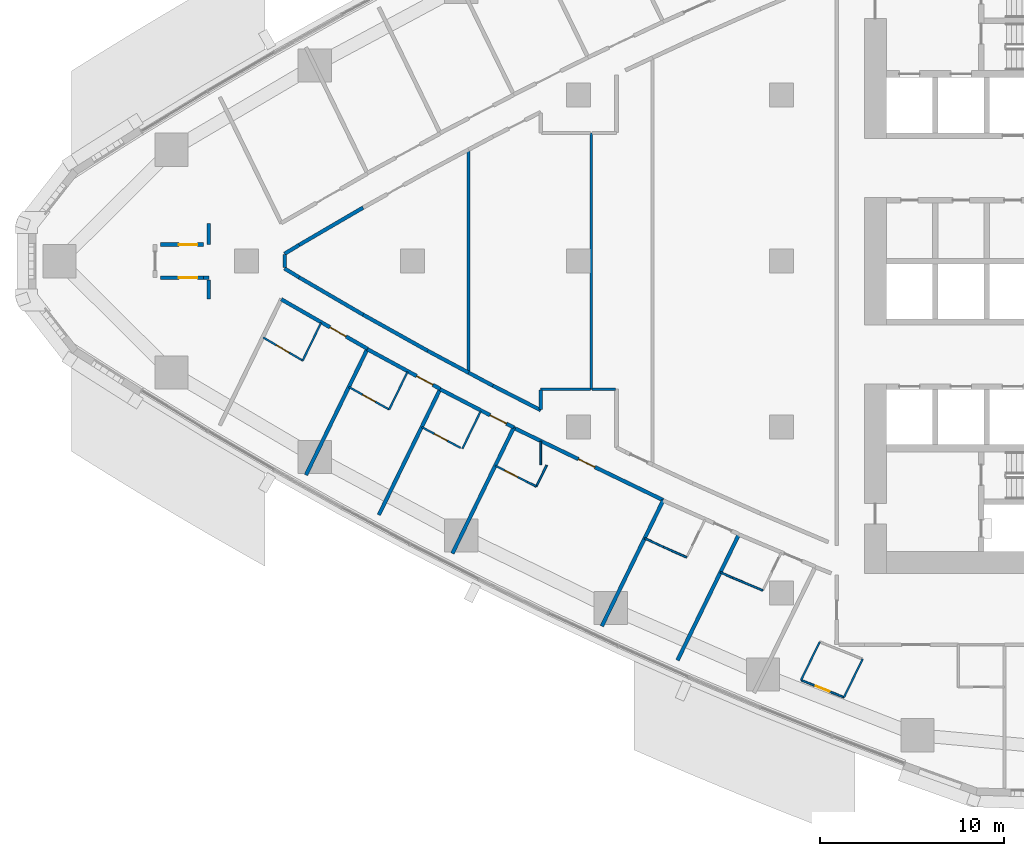
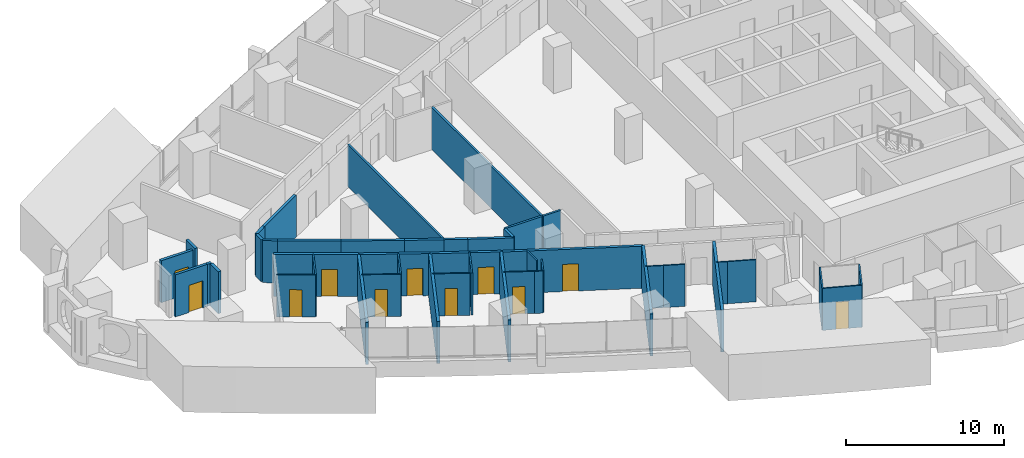
# One storey, part 9 of 19: 45 walls, 11 doors, 11 openings.
"""IFC4 building model written with IfcOpenShell, lengths in metres."""

import ifcopenshell
import ifcopenshell.guid

model = None  # the IFC model being written
_history = None  # IfcOwnerHistory: only IFC2X3 demands one
_inside = {}  # id of a spatial element -> (the spatial element, [elements in it])
_under = {}  # id of a project, library or spatial element -> (it, [spatial elements below it])
_declared = {}  # id of a project -> (the project, [libraries it declares])
_typed = {}  # id of a type object -> (the type object, [elements of that type])
_made_of = {}  # id of a material, layer set ... -> (it, [elements and type objects made of it])


def new_model(schema):
    """Start an empty IFC model of exactly this schema.

    Asked for "IFC4X3", IfcOpenShell would pick the latest addendum, in which some entities
    have other attributes; the version numbers below select the first issue.
    IFC2X3 requires an IfcOwnerHistory on every rooted entity: one is made here for all.
    """
    global model, _history
    if schema == "IFC4X3":
        model = ifcopenshell.file(schema_version=(4, 3, 0, 0))
    else:
        model = ifcopenshell.file(schema=schema)
    _inside.clear()
    _under.clear()
    _declared.clear()
    _typed.clear()
    _made_of.clear()
    _history = None
    if model.schema == "IFC2X3":
        org = make("IfcOrganization", Name="unknown")
        user = make(
            "IfcPersonAndOrganization",
            ThePerson=make("IfcPerson", FamilyName="unknown"),
            TheOrganization=org,
        )
        app = make(
            "IfcApplication",
            ApplicationDeveloper=org,
            Version="unknown",
            ApplicationFullName="unknown",
            ApplicationIdentifier="unknown",
        )
        _history = make(
            "IfcOwnerHistory",
            OwningUser=user,
            OwningApplication=app,
            ChangeAction="ADDED",
            CreationDate=0,
        )
    return model


def make(cls, **values):
    """One entity of the class cls with the attributes given. An attribute that is None is left unset."""
    return model.create_entity(
        cls, **{name: value for name, value in values.items() if value is not None}
    )


def rooted(cls, **values):
    """An entity with a GlobalId (a new one), such as an element, a storey or a relation."""
    return make(cls, GlobalId=ifcopenshell.guid.new(), OwnerHistory=_history, **values)


def si_unit(unit_type, name, prefix=None):
    """IfcSIUnit, for example si_unit("LENGTHUNIT", "METRE", prefix="MILLI")."""
    return make("IfcSIUnit", UnitType=unit_type, Prefix=prefix, Name=name)


def assignment(units):
    """IfcUnitAssignment: the units of a project."""
    return None if units is None else make("IfcUnitAssignment", Units=units)


def point(xyz):
    """IfcCartesianPoint."""
    return None if xyz is None else make("IfcCartesianPoint", Coordinates=xyz)


def direction(xyz):
    """IfcDirection."""
    return None if xyz is None else make("IfcDirection", DirectionRatios=xyz)


def frame(location, z_axis=None, x_axis=None):
    """IfcAxis2Placement3D, a coordinate frame: its origin and axes. An axis left out is left unset."""
    return make(
        "IfcAxis2Placement3D",
        Location=point(location),
        Axis=direction(z_axis),
        RefDirection=direction(x_axis),
    )


def frame_2d(location, x_axis=None):
    """IfcAxis2Placement2D, a coordinate frame in the plane: its origin and x axis."""
    return make(
        "IfcAxis2Placement2D", Location=point(location), RefDirection=direction(x_axis)
    )


def origin():
    """The frame at (0, 0, 0) with its axes left unset."""
    return frame((0.0, 0.0, 0.0))


def place(relative_to, where):
    """IfcLocalPlacement: puts the frame where relative to a parent placement (None: the world)."""
    return make(
        "IfcLocalPlacement", PlacementRelTo=relative_to, RelativePlacement=where
    )


def context(
    kind, dimensions, precision=None, world=None, true_north=None, identifier=None
):
    """IfcGeometricRepresentationContext, for example the 3D "Model" context."""
    return make(
        "IfcGeometricRepresentationContext",
        ContextIdentifier=identifier,
        ContextType=kind,
        CoordinateSpaceDimension=dimensions,
        Precision=precision,
        WorldCoordinateSystem=world,
        TrueNorth=true_north,
    )


def subcontext(parent, identifier, kind, view, scale=None):
    """IfcGeometricRepresentationSubContext, for example "Body" below "Model"."""
    return make(
        "IfcGeometricRepresentationSubContext",
        ContextIdentifier=identifier,
        ContextType=kind,
        ParentContext=parent,
        TargetScale=scale,
        TargetView=view,
    )


def project(units=None, contexts=None):
    """IfcProject with its units and contexts."""
    return rooted(
        "IfcProject",
        Name="project",
        RepresentationContexts=contexts,
        UnitsInContext=assignment(units),
    )


def spatial(cls, under=None, at=None, **own):
    """A site, building, storey or space (cls), placed at a placement, below another one or the project."""
    s = rooted(cls, ObjectPlacement=at, **own)
    if under is not None:
        _under.setdefault(under.id(), (under, []))[1].append(s)
    return s


def profile(cls, at=None, kind="AREA", **sizes):
    """A parametric profile (cls). Its sizes go by their IFC names, for example OverallWidth=200.0."""
    return make(cls, ProfileType=kind, Position=at, **sizes)


def rectangle(**sizes):
    """IfcRectangleProfileDef."""
    return profile("IfcRectangleProfileDef", **sizes)


def extrude(swept, where, along, depth):
    """IfcExtrudedAreaSolid: the profile swept, set in the frame where, extruded along a direction by depth."""
    return make(
        "IfcExtrudedAreaSolid",
        SweptArea=swept,
        Position=where,
        ExtrudedDirection=direction(along),
        Depth=depth,
    )


def shape(context_of_items, identifier, shape_type, items):
    """IfcShapeRepresentation: the items that make up one representation, for example the "Body"."""
    return make(
        "IfcShapeRepresentation",
        ContextOfItems=context_of_items,
        RepresentationIdentifier=identifier,
        RepresentationType=shape_type,
        Items=items,
    )


def material(Name=None, Category=None):
    """IfcMaterial."""
    return make("IfcMaterial", Name=Name, Category=Category)


def layer(
    of_material, thickness, ventilated=None, Name=None, Category=None, Priority=None
):
    """IfcMaterialLayer: one layer of a wall or slab, of a material (None: an air gap)."""
    return make(
        "IfcMaterialLayer",
        Material=of_material,
        LayerThickness=thickness,
        IsVentilated=ventilated,
        Name=Name,
        Category=Category,
        Priority=Priority,
    )


def layer_set(layers, Name=None):
    """IfcMaterialLayerSet."""
    return make("IfcMaterialLayerSet", MaterialLayers=layers, LayerSetName=Name)


def made_of(thing, what):
    """Note that an element or type object is made of a material, layer set ...; save() writes the relation."""
    if what is not None:
        _made_of.setdefault(what.id(), (what, []))[1].append(thing)
    return thing


def type_object(cls, material=None, **own):
    """A type object (cls), such as IfcWallType, which elements share."""
    return made_of(rooted(cls, **own), material)


def element(
    cls,
    number,
    at=None,
    inside=None,
    cuts=None,
    type_object=None,
    material=None,
    context=None,
    identifier="Body",
    shape_type=None,
    held_by="IfcProductDefinitionShape",
    body=None,
    shapes=None,
    **own,
):
    """One element of the class cls, such as IfcWall. Its Tag is "e" and its number.

    at: its placement. inside: the storey or other place that contains it. cuts: it is an
    opening in that element (IfcRelVoidsElement). A single representation is given by context,
    identifier, shape_type and body (its items); several are given by shapes. held_by: the class
    of the entity that holds the representations. save() writes the other relations.
    """
    e = rooted(cls, Tag="e%d" % number, ObjectPlacement=at, **own)
    if body is not None:
        shapes = [shape(context, identifier, shape_type, body)]
    if shapes is not None:
        e.Representation = make(held_by, Representations=shapes)
    if inside is not None:
        _inside.setdefault(inside.id(), (inside, []))[1].append(e)
    if cuts is not None:
        rooted(
            "IfcRelVoidsElement", RelatingBuildingElement=cuts, RelatedOpeningElement=e
        )
    if type_object is not None:
        _typed.setdefault(type_object.id(), (type_object, []))[1].append(e)
    return made_of(e, material)


def fill(opening, filler):
    """IfcRelFillsElement: the door or window that sits in an opening."""
    return rooted(
        "IfcRelFillsElement",
        RelatingOpeningElement=opening,
        RelatedBuildingElement=filler,
    )


def aggregate(whole, parts):
    """IfcRelAggregates: a whole, such as a stair, and the parts it consists of."""
    return rooted("IfcRelAggregates", RelatingObject=whole, RelatedObjects=parts)


def save(model, path):
    """Write the relations noted so far, then the file.

    IfcRelAggregates (storeys below a building ...), IfcRelContainedInSpatialStructure (elements
    in a storey), IfcRelDefinesByType, IfcRelAssociatesMaterial and IfcRelDeclares: one each for
    every whole, place, type object, material and project.
    """
    for whole, parts in _under.values():
        aggregate(whole, parts)
    for where, things in _inside.values():
        rooted(
            "IfcRelContainedInSpatialStructure",
            RelatedElements=things,
            RelatingStructure=where,
        )
    for kind, things in _typed.values():
        rooted("IfcRelDefinesByType", RelatedObjects=things, RelatingType=kind)
    for what, things in _made_of.values():
        rooted("IfcRelAssociatesMaterial", RelatedObjects=things, RelatingMaterial=what)
    for by, libraries in _declared.values():
        rooted("IfcRelDeclares", RelatingContext=by, RelatedDefinitions=libraries)
    model.write(path)


model = new_model("IFC4")

# Units and contexts
model_context = context("Model", 3, precision=1e-05, world=origin(), true_north=direction((0.0, 1.0)))
body_context = subcontext(model_context, "Body", "Model", "MODEL_VIEW")
ifc_project = project(units=[si_unit("LENGTHUNIT", "METRE"), si_unit("AREAUNIT", "SQUARE_METRE"), si_unit("VOLUMEUNIT", "CUBIC_METRE"), si_unit("PLANEANGLEUNIT", "RADIAN"), si_unit("MASSUNIT", "GRAM", prefix="KILO")], contexts=[model_context])

# Site, building, storey
site_placement = place(None, origin())
site = spatial("IfcSite", under=ifc_project, at=site_placement, CompositionType="ELEMENT")
building_placement = place(site_placement, origin())
building = spatial("IfcBuilding", under=site, at=building_placement, Name="Ostrand Prow Hotel Tower", CompositionType="ELEMENT")
storey_placement = place(building_placement, frame((0.0, 0.0, 46.699951171875)))
storey = spatial("IfcBuildingStorey", under=building, at=storey_placement, Name="L09", CompositionType="ELEMENT", Elevation=46.699951171875)

# Wall
ifc_material_1 = material(Name="Plasterboard partition")
ifc_layer_1 = layer(ifc_material_1, 0.10009765625)
ifc_layer_set_1 = layer_set([ifc_layer_1], Name="Plasterboard partition")
wall_type_1 = type_object("IfcWallType", Name="Partition 100 bathroom wall", PredefinedType="PARTITIONING", material=ifc_layer_set_1)
wall_1_placement = place(storey_placement, frame((20.035400390625, -3.338134765625, 0.0), z_axis=(0.0, 0.0, 1.0), x_axis=(-0.438122322582, -0.898915363344, 0.0)))
element("IfcWall", 1, at=wall_1_placement, inside=storey, type_object=wall_type_1, Name="BATHROOM WALL", PredefinedType="PARTITIONING", context=body_context, shape_type="SweptSolid", body=[
    extrude(rectangle(XDim=2.282958984375, YDim=0.10009765625, at=frame_2d((1.1416015625, 0.0))), origin(), (0.0, 0.0, 1.0), 3.25),
])

# Wall, opening, door
wall_2_placement = place(storey_placement, frame((19.034912109375, -5.390380859375, 0.0), z_axis=(0.0, 0.0, 1.0), x_axis=(-0.863707305865, 0.503993739837, 0.0)))
wall_2 = element("IfcWall", 2, at=wall_2_placement, inside=storey, type_object=wall_type_1, Name="BATHROOM WALL", PredefinedType="PARTITIONING", context=body_context, shape_type="SweptSolid", body=[
    extrude(rectangle(XDim=2.473876953125, YDim=0.10009765625, at=frame_2d((1.23681640625, 0.0))), origin(), (0.0, 0.0, 1.0), 3.25),
])
opening_1_placement = place(wall_2_placement, frame((0.85009765625, 0.0, 0.0)))
opening_1 = element("IfcOpeningElement", 3, at=opening_1_placement, cuts=wall_2, Name="Opening D2", PredefinedType="OPENING", context=body_context, shape_type="SweptSolid", body=[
    extrude(rectangle(XDim=0.800048828125, YDim=2.10009765625, at=frame_2d((0.39990234375, 1.050048828125))), frame((0.0, 0.06005859375, 0.0), z_axis=(0.0, -1.0, 0.0), x_axis=(1.0, 0.0, 0.0)), (0.0, 0.0, 1.0), 0.1201171875),
])
ifc_material_2 = material(Name="Timber door leaf", Category="wood")
door_type_1 = type_object("IfcDoorType", Name="Bathroom door 800", OperationType="SINGLE_SWING_LEFT", PredefinedType="DOOR", material=ifc_material_2)
door_1_placement = place(opening_1_placement, origin())
door_1 = element("IfcDoor", 4, at=door_1_placement, inside=storey, type_object=door_type_1, Name="DOOR", OperationType="SINGLE_SWING_LEFT", OverallHeight=2.10009765625, OverallWidth=0.800048828125, PredefinedType="DOOR", context=body_context, shape_type="SweptSolid", body=[
    extrude(rectangle(XDim=0.800048828125, YDim=2.10009765625, at=frame_2d((0.39990234375, 1.050048828125))), frame((0.0, 0.02490234375, 0.0), z_axis=(0.0, -1.0, 0.0), x_axis=(1.0, 0.0, 0.0)), (0.0, 0.0, 1.0), 0.050048828125),
])
fill(opening_1, door_1)

# Wall
wall_3_placement = place(storey_placement, frame((24.72509765625, -5.99755859375, 0.0), z_axis=(0.0, 0.0, 1.0), x_axis=(-0.438197922062, -0.898878512982, 0.0)))
element("IfcWall", 5, at=wall_3_placement, inside=storey, type_object=wall_type_1, Name="BATHROOM WALL", PredefinedType="PARTITIONING", context=body_context, shape_type="SweptSolid", body=[
    extrude(rectangle(XDim=2.280517578125, YDim=0.10009765625, at=frame_2d((1.14013671875, 0.0))), origin(), (0.0, 0.0, 1.0), 3.25),
])

# Wall, opening, door
wall_4_placement = place(storey_placement, frame((23.7255859375, -8.04736328125, 0.0), z_axis=(0.0, 0.0, 1.0), x_axis=(-0.872778565067, 0.488116355349, 0.0)))
wall_4 = element("IfcWall", 6, at=wall_4_placement, inside=storey, type_object=wall_type_1, Name="BATHROOM WALL", PredefinedType="PARTITIONING", context=body_context, shape_type="SweptSolid", body=[
    extrude(rectangle(XDim=2.50390625, YDim=0.10009765625, at=frame_2d((1.251953125, 0.0))), origin(), (0.0, 0.0, 1.0), 3.25),
])
opening_2_placement = place(wall_4_placement, frame((0.85009765625, 0.0, 0.0)))
opening_2 = element("IfcOpeningElement", 7, at=opening_2_placement, cuts=wall_4, Name="Opening D2", PredefinedType="OPENING", context=body_context, shape_type="SweptSolid", body=[
    extrude(rectangle(XDim=0.800048828125, YDim=2.10009765625, at=frame_2d((0.39990234375, 1.050048828125))), frame((0.0, 0.06005859375, 0.0), z_axis=(0.0, -1.0, 0.0), x_axis=(1.0, 0.0, 0.0)), (0.0, 0.0, 1.0), 0.1201171875),
])
door_2_placement = place(opening_2_placement, origin())
door_2 = element("IfcDoor", 8, at=door_2_placement, inside=storey, type_object=door_type_1, Name="DOOR", OperationType="SINGLE_SWING_LEFT", OverallHeight=2.10009765625, OverallWidth=0.800048828125, PredefinedType="DOOR", context=body_context, shape_type="SweptSolid", body=[
    extrude(rectangle(XDim=0.800048828125, YDim=2.10009765625, at=frame_2d((0.39990234375, 1.050048828125))), frame((0.0, 0.02490234375, 0.0), z_axis=(0.0, -1.0, 0.0), x_axis=(1.0, 0.0, 0.0)), (0.0, 0.0, 1.0), 0.050048828125),
])
fill(opening_2, door_2)

# Wall
wall_5_placement = place(storey_placement, frame((28.695068359375, -8.1298828125, 0.0), z_axis=(0.0, 0.0, 1.0), x_axis=(-0.438229314017, -0.898863208912, 0.0)))
element("IfcWall", 9, at=wall_5_placement, inside=storey, type_object=wall_type_1, Name="BATHROOM WALL", PredefinedType="PARTITIONING", context=body_context, shape_type="SweptSolid", body=[
    extrude(rectangle(XDim=2.27734375, YDim=0.10009765625, at=frame_2d((1.138671875, 0.0))), origin(), (0.0, 0.0, 1.0), 3.25),
])

# Wall, opening, door
wall_6_placement = place(storey_placement, frame((27.59521484375, -10.124755859375, 0.0), z_axis=(0.0, 0.0, 1.0), x_axis=(-0.881666905428, 0.471872300388, 0.0)))
wall_6 = element("IfcWall", 10, at=wall_6_placement, inside=storey, type_object=wall_type_1, Name="BATHROOM WALL", PredefinedType="PARTITIONING", context=body_context, shape_type="SweptSolid", body=[
    extrude(rectangle(XDim=2.38720703125, YDim=0.10009765625, at=frame_2d((1.193603515625, 0.0))), origin(), (0.0, 0.0, 1.0), 3.25),
])
opening_3_placement = place(wall_6_placement, frame((0.800048828125, 0.0, 0.0)))
opening_3 = element("IfcOpeningElement", 11, at=opening_3_placement, cuts=wall_6, Name="Opening D2", PredefinedType="OPENING", context=body_context, shape_type="SweptSolid", body=[
    extrude(rectangle(XDim=0.800048828125, YDim=2.10009765625, at=frame_2d((0.39990234375, 1.050048828125))), frame((0.0, 0.06005859375, 0.0), z_axis=(0.0, -1.0, 0.0), x_axis=(1.0, 0.0, 0.0)), (0.0, 0.0, 1.0), 0.1201171875),
])
door_3_placement = place(opening_3_placement, origin())
door_3 = element("IfcDoor", 12, at=door_3_placement, inside=storey, type_object=door_type_1, Name="DOOR", OperationType="SINGLE_SWING_LEFT", OverallHeight=2.10009765625, OverallWidth=0.800048828125, PredefinedType="DOOR", context=body_context, shape_type="SweptSolid", body=[
    extrude(rectangle(XDim=0.800048828125, YDim=2.10009765625, at=frame_2d((0.39990234375, 1.050048828125))), frame((0.0, 0.02490234375, 0.0), z_axis=(0.0, -1.0, 0.0), x_axis=(1.0, 0.0, 0.0)), (0.0, 0.0, 1.0), 0.050048828125),
])
fill(opening_3, door_3)

# Walls
wall_7_placement = place(storey_placement, frame((32.270263671875, -11.072021484375, 0.0), z_axis=(0.0, 0.0, 1.0), x_axis=(-0.438167492606, -0.898893346523, 0.0)))
element("IfcWall", 13, at=wall_7_placement, inside=storey, type_object=wall_type_1, Name="BATHROOM WALL", PredefinedType="PARTITIONING", context=body_context, shape_type="SweptSolid", body=[
    extrude(rectangle(XDim=1.277099609375, YDim=0.10009765625, at=frame_2d((0.638671875, 0.0))), origin(), (0.0, 0.0, 1.0), 3.25),
])
wall_8_placement = place(storey_placement, frame((31.71044921875, -12.22021484375, 0.0), z_axis=(0.0, 0.0, 1.0), x_axis=(-0.898155091862, 0.43967878157, 0.0)))
element("IfcWall", 14, at=wall_8_placement, inside=storey, type_object=wall_type_1, Name="BATHROOM WALL", PredefinedType="PARTITIONING", context=body_context, shape_type="SweptSolid", body=[
    extrude(rectangle(XDim=0.532470703125, YDim=0.10009765625, at=frame_2d((0.26611328125, 0.0))), origin(), (0.0, 0.0, 1.0), 3.25),
])

# Wall, opening, door
wall_9_placement = place(storey_placement, frame((31.232177734375, -11.986083984375, 0.0), z_axis=(0.0, 0.0, 1.0), x_axis=(-0.890194338621, 0.455580991138, 0.0)))
wall_9 = element("IfcWall", 15, at=wall_9_placement, inside=storey, type_object=wall_type_1, Name="BATHROOM WALL", PredefinedType="PARTITIONING", context=body_context, shape_type="SweptSolid", body=[
    extrude(rectangle(XDim=1.9677734375, YDim=0.10009765625, at=frame_2d((0.98388671875, 0.0))), origin(), (0.0, 0.0, 1.0), 3.25),
])
opening_4_placement = place(wall_9_placement, frame((0.60009765625, 0.0, 0.0)))
opening_4 = element("IfcOpeningElement", 16, at=opening_4_placement, cuts=wall_9, Name="Opening D2", PredefinedType="OPENING", context=body_context, shape_type="SweptSolid", body=[
    extrude(rectangle(XDim=0.800048828125, YDim=2.10009765625, at=frame_2d((0.39990234375, 1.050048828125))), frame((0.0, 0.06005859375, 0.0), z_axis=(0.0, -1.0, 0.0), x_axis=(1.0, 0.0, 0.0)), (0.0, 0.0, 1.0), 0.1201171875),
])
door_4_placement = place(opening_4_placement, origin())
door_4 = element("IfcDoor", 17, at=door_4_placement, inside=storey, type_object=door_type_1, Name="DOOR", OperationType="SINGLE_SWING_LEFT", OverallHeight=2.10009765625, OverallWidth=0.800048828125, PredefinedType="DOOR", context=body_context, shape_type="SweptSolid", body=[
    extrude(rectangle(XDim=0.800048828125, YDim=2.10009765625, at=frame_2d((0.39990234375, 1.050048828125))), frame((0.0, 0.02490234375, 0.0), z_axis=(0.0, -1.0, 0.0), x_axis=(1.0, 0.0, 0.0)), (0.0, 0.0, 1.0), 0.050048828125),
])
fill(opening_4, door_4)

# Walls
wall_10_placement = place(storey_placement, frame((39.86279296875, -16.064697265625, 0.0), z_axis=(0.0, 0.0, 1.0), x_axis=(-0.913972512123, 0.405776104625, 0.0)))
element("IfcWall", 18, at=wall_10_placement, inside=storey, type_object=wall_type_1, Name="BATHROOM WALL", PredefinedType="PARTITIONING", context=body_context, shape_type="SweptSolid", body=[
    extrude(rectangle(XDim=1.37548828125, YDim=0.10009765625, at=frame_2d((0.687744140625, 0.0))), origin(), (0.0, 0.0, 1.0), 3.25),
])
wall_11_placement = place(storey_placement, frame((38.605712890625, -15.506591796875, 0.0), z_axis=(0.0, 0.0, 1.0), x_axis=(-0.90632717857, 0.422576673972, 0.0)))
element("IfcWall", 19, at=wall_11_placement, inside=storey, type_object=wall_type_1, Name="BATHROOM WALL", PredefinedType="PARTITIONING", context=body_context, shape_type="SweptSolid", body=[
    extrude(rectangle(XDim=1.12548828125, YDim=0.10009765625, at=frame_2d((0.562744140625, 0.0))), origin(), (0.0, 0.0, 1.0), 3.25),
])
wall_12_placement = place(storey_placement, frame((43.9951171875, -17.86328125, 0.0), z_axis=(0.0, 0.0, 1.0), x_axis=(-0.921261464985, 0.388943843161, 0.0)))
element("IfcWall", 20, at=wall_12_placement, inside=storey, type_object=wall_type_1, Name="BATHROOM WALL", PredefinedType="PARTITIONING", context=body_context, shape_type="SweptSolid", body=[
    extrude(rectangle(XDim=1.79638671875, YDim=0.10009765625, at=frame_2d((0.898193359375, 0.0))), origin(), (0.0, 0.0, 1.0), 3.25),
])
wall_13_placement = place(storey_placement, frame((42.33984375, -17.16455078125, 0.0), z_axis=(0.0, 0.0, 1.0), x_axis=(-0.913954037066, 0.405817715399, 0.0)))
element("IfcWall", 21, at=wall_13_placement, inside=storey, type_object=wall_type_1, Name="BATHROOM WALL", PredefinedType="PARTITIONING", context=body_context, shape_type="SweptSolid", body=[
    extrude(rectangle(XDim=0.706298828125, YDim=0.10009765625, at=frame_2d((0.35302734375, 0.0))), origin(), (0.0, 0.0, 1.0), 3.25),
])
wall_14_placement = place(storey_placement, frame((46.068603515625, -22.72509765625, 0.0), z_axis=(0.0, 0.0, 1.0), x_axis=(0.438171240168, 0.898891519756, 0.0)))
element("IfcWall", 22, at=wall_14_placement, inside=storey, type_object=wall_type_1, Name="BATHROOM WALL", PredefinedType="PARTITIONING", context=body_context, shape_type="SweptSolid", body=[
    extrude(rectangle(XDim=2.30615234375, YDim=0.10009765625, at=frame_2d((1.153076171875, 0.0))), origin(), (0.0, 0.0, 1.0), 3.25),
])

# Wall, opening, door
wall_15_placement = place(storey_placement, frame((48.3955078125, -23.6572265625, 0.0), z_axis=(0.0, 0.0, 1.0), x_axis=(-0.928288495333, 0.371860819975, 0.0)))
wall_15 = element("IfcWall", 23, at=wall_15_placement, inside=storey, type_object=wall_type_1, Name="BATHROOM WALL", PredefinedType="PARTITIONING", context=body_context, shape_type="SweptSolid", body=[
    extrude(rectangle(XDim=2.506591796875, YDim=0.10009765625, at=frame_2d((1.25341796875, 0.0))), origin(), (0.0, 0.0, 1.0), 3.25),
])
opening_5_placement = place(wall_15_placement, frame((0.85009765625, 0.0, 0.0)))
opening_5 = element("IfcOpeningElement", 24, at=opening_5_placement, cuts=wall_15, Name="Opening D2", PredefinedType="OPENING", context=body_context, shape_type="SweptSolid", body=[
    extrude(rectangle(XDim=0.800048828125, YDim=2.10009765625, at=frame_2d((0.39990234375, 1.050048828125))), frame((0.0, 0.06005859375, 0.0), z_axis=(0.0, -1.0, 0.0), x_axis=(1.0, 0.0, 0.0)), (0.0, 0.0, 1.0), 0.1201171875),
])
door_5_placement = place(opening_5_placement, origin())
door_5 = element("IfcDoor", 25, at=door_5_placement, inside=storey, type_object=door_type_1, Name="DOOR", OperationType="SINGLE_SWING_LEFT", OverallHeight=2.10009765625, OverallWidth=0.800048828125, PredefinedType="DOOR", context=body_context, shape_type="SweptSolid", body=[
    extrude(rectangle(XDim=0.800048828125, YDim=2.10009765625, at=frame_2d((0.39990234375, 1.050048828125))), frame((0.0, 0.02490234375, 0.0), z_axis=(0.0, -1.0, 0.0), x_axis=(1.0, 0.0, 0.0)), (0.0, 0.0, 1.0), 0.050048828125),
])
fill(opening_5, door_5)

# Walls
wall_16_placement = place(storey_placement, frame((31.945068359375, -9.77294921875, 0.0), z_axis=(0.0, 0.0, 1.0), x_axis=(0.000190949013, -0.999999981769, 0.0)))
element("IfcWall", 26, at=wall_16_placement, inside=storey, type_object=wall_type_1, Name="BATHROOM WALL", PredefinedType="PARTITIONING", context=body_context, shape_type="SweptSolid", body=[
    extrude(rectangle(XDim=1.278564453125, YDim=0.10009765625, at=frame_2d((0.63916015625, 0.0))), origin(), (0.0, 0.0, 1.0), 3.25),
])
wall_17_placement = place(storey_placement, frame((49.406005859375, -21.583984375, 0.0), z_axis=(0.0, 0.0, 1.0), x_axis=(-0.438129547165, -0.898911842118, 0.0)))
element("IfcWall", 27, at=wall_17_placement, inside=storey, type_object=wall_type_1, Name="BATHROOM WALL", PredefinedType="PARTITIONING", context=body_context, shape_type="SweptSolid", body=[
    extrude(rectangle(XDim=2.306396484375, YDim=0.10009765625, at=frame_2d((1.1533203125, 0.0))), origin(), (0.0, 0.0, 1.0), 3.25),
])
ifc_material_3 = material(Name="Plasterboard partition")
ifc_layer_2 = layer(ifc_material_3, 0.14990234375)
ifc_layer_set_2 = layer_set([ifc_layer_2], Name="Plasterboard partition")
wall_type_2 = type_object("IfcWallType", Name="Partition 150 room partition", PredefinedType="PARTITIONING", material=ifc_layer_set_2)
wall_18_placement = place(storey_placement, frame((28.033203125, -6.04931640625, 0.0), z_axis=(0.0, 0.0, 1.0), x_axis=(0.0, 1.0, 0.0)))
element("IfcWall", 28, at=wall_18_placement, inside=storey, type_object=wall_type_2, Name="ROOM PARTITION", PredefinedType="PARTITIONING", context=body_context, shape_type="SweptSolid", body=[
    extrude(rectangle(XDim=12.0986328125, YDim=0.14990234375, at=frame_2d((6.04931640625, 0.0))), origin(), (0.0, 0.0, 1.0), 3.25),
])
wall_19_placement = place(storey_placement, frame((34.68896484375, -6.949951171875, 0.0), z_axis=(0.0, 0.0, 1.0), x_axis=(0.0, 1.0, 0.0)))
element("IfcWall", 29, at=wall_19_placement, inside=storey, type_object=wall_type_2, Name="ROOM PARTITION", PredefinedType="PARTITIONING", context=body_context, shape_type="SweptSolid", body=[
    extrude(rectangle(XDim=13.89990234375, YDim=0.14990234375, at=frame_2d((6.949951171875, 0.0))), origin(), (0.0, 0.0, 1.0), 3.25),
])
wall_20_placement = place(storey_placement, frame((34.64892578125, -6.945068359375, 0.0), z_axis=(0.0, 0.0, 1.0), x_axis=(-0.999999995915, -9.0391394e-05, 0.0)))
element("IfcWall", 30, at=wall_20_placement, inside=storey, type_object=wall_type_2, Name="ROOM PARTITION", PredefinedType="PARTITIONING", context=body_context, shape_type="SweptSolid", body=[
    extrude(rectangle(XDim=2.700927734375, YDim=0.14990234375, at=frame_2d((1.3505859375, 0.0))), origin(), (0.0, 0.0, 1.0), 3.25),
])
wall_21_placement = place(storey_placement, frame((36.013916015625, -6.94677734375, 0.0), z_axis=(0.0, 0.0, 1.0), x_axis=(-0.999999115498, 0.001330038725, 0.0)))
element("IfcWall", 31, at=wall_21_placement, inside=storey, type_object=wall_type_2, Name="ROOM PARTITION", PredefinedType="PARTITIONING", context=body_context, shape_type="SweptSolid", body=[
    extrude(rectangle(XDim=1.284912109375, YDim=0.14990234375, at=frame_2d((0.642578125, 0.0))), origin(), (0.0, 0.0, 1.0), 3.25),
])

# Wall, opening, door
ifc_material_4 = material(Name="Plasterboard partition")
ifc_layer_3 = layer(ifc_material_4, 0.199951171875)
ifc_layer_set_3 = layer_set([ifc_layer_3], Name="Plasterboard partition")
wall_type_3 = type_object("IfcWallType", Name="Partition 200 corridor wall", PredefinedType="PARTITIONING", material=ifc_layer_set_3)
wall_22_placement = place(storey_placement, frame((17.87353515625, -2.068115234375, 0.0), z_axis=(0.0, 0.0, 1.0), x_axis=(0.867093061484, -0.4981461861, 0.0)))
wall_22 = element("IfcWall", 32, at=wall_22_placement, inside=storey, type_object=wall_type_3, Name="CORRIDOR WALL", PredefinedType="PARTITIONING", context=body_context, shape_type="SweptSolid", body=[
    extrude(rectangle(XDim=5.39306640625, YDim=0.199951171875, at=frame_2d((2.696533203125, 0.0))), origin(), (0.0, 0.0, 1.0), 3.25),
])
opening_6_placement = place(wall_22_placement, frame((3.050048828125, 0.0, 0.0)))
opening_6 = element("IfcOpeningElement", 33, at=opening_6_placement, cuts=wall_22, Name="Opening D1R", PredefinedType="OPENING", context=body_context, shape_type="SweptSolid", body=[
    extrude(rectangle(XDim=1.0, YDim=2.10009765625, at=frame_2d((0.5, 1.050048828125))), frame((0.0, 0.10986328125, 0.0), z_axis=(0.0, -1.0, 0.0), x_axis=(1.0, 0.0, 0.0)), (0.0, 0.0, 1.0), 0.219970703125),
])
ifc_material_5 = material(Name="Timber door leaf", Category="wood")
door_type_2 = type_object("IfcDoorType", Name="Guest room door 1000 right", OperationType="SINGLE_SWING_RIGHT", PredefinedType="DOOR", material=ifc_material_5)
door_6_placement = place(opening_6_placement, origin())
door_6 = element("IfcDoor", 34, at=door_6_placement, inside=storey, type_object=door_type_2, Name="DOOR", OperationType="SINGLE_SWING_RIGHT", OverallHeight=2.10009765625, OverallWidth=1.0, PredefinedType="DOOR", context=body_context, shape_type="SweptSolid", body=[
    extrude(rectangle(XDim=1.0, YDim=2.10009765625, at=frame_2d((0.5, 1.050048828125))), frame((0.0, 0.02490234375, 0.0), z_axis=(0.0, -1.0, 0.0), x_axis=(1.0, 0.0, 0.0)), (0.0, 0.0, 1.0), 0.050048828125),
])
fill(opening_6, door_6)

wall_23_placement = place(storey_placement, frame((22.541015625, -4.772705078125, 0.0), z_axis=(0.0, 0.0, 1.0), x_axis=(0.878098348451, -0.478480188146, 0.0)))
wall_23 = element("IfcWall", 35, at=wall_23_placement, inside=storey, type_object=wall_type_3, Name="CORRIDOR WALL", PredefinedType="PARTITIONING", context=body_context, shape_type="SweptSolid", body=[
    extrude(rectangle(XDim=4.507568359375, YDim=0.199951171875, at=frame_2d((2.25390625, 0.0))), origin(), (0.0, 0.0, 1.0), 3.25),
])
opening_7_placement = place(wall_23_placement, frame((3.050048828125, 0.0, 0.0)))
opening_7 = element("IfcOpeningElement", 36, at=opening_7_placement, cuts=wall_23, Name="Opening D1R", PredefinedType="OPENING", context=body_context, shape_type="SweptSolid", body=[
    extrude(rectangle(XDim=1.0, YDim=2.10009765625, at=frame_2d((0.5, 1.050048828125))), frame((0.0, 0.10986328125, 0.0), z_axis=(0.0, -1.0, 0.0), x_axis=(1.0, 0.0, 0.0)), (0.0, 0.0, 1.0), 0.219970703125),
])
door_7_placement = place(opening_7_placement, origin())
door_7 = element("IfcDoor", 37, at=door_7_placement, inside=storey, type_object=door_type_2, Name="DOOR", OperationType="SINGLE_SWING_RIGHT", OverallHeight=2.10009765625, OverallWidth=1.0, PredefinedType="DOOR", context=body_context, shape_type="SweptSolid", body=[
    extrude(rectangle(XDim=1.0, YDim=2.10009765625, at=frame_2d((0.5, 1.050048828125))), frame((0.0, 0.02490234375, 0.0), z_axis=(0.0, -1.0, 0.0), x_axis=(1.0, 0.0, 0.0)), (0.0, 0.0, 1.0), 0.050048828125),
])
fill(opening_7, door_7)

wall_24_placement = place(storey_placement, frame((26.490234375, -6.947509765625, 0.0), z_axis=(0.0, 0.0, 1.0), x_axis=(0.887638836985, -0.460540220911, 0.0)))
wall_24 = element("IfcWall", 38, at=wall_24_placement, inside=storey, type_object=wall_type_3, Name="CORRIDOR WALL", PredefinedType="PARTITIONING", context=body_context, shape_type="SweptSolid", body=[
    extrude(rectangle(XDim=4.50439453125, YDim=0.199951171875, at=frame_2d((2.252197265625, 0.0))), origin(), (0.0, 0.0, 1.0), 3.25),
])
opening_8_placement = place(wall_24_placement, frame((3.050048828125, 0.0, 0.0)))
opening_8 = element("IfcOpeningElement", 39, at=opening_8_placement, cuts=wall_24, Name="Opening D1R", PredefinedType="OPENING", context=body_context, shape_type="SweptSolid", body=[
    extrude(rectangle(XDim=1.0, YDim=2.10009765625, at=frame_2d((0.5, 1.050048828125))), frame((0.0, 0.10986328125, 0.0), z_axis=(0.0, -1.0, 0.0), x_axis=(1.0, 0.0, 0.0)), (0.0, 0.0, 1.0), 0.219970703125),
])
door_8_placement = place(opening_8_placement, origin())
door_8 = element("IfcDoor", 40, at=door_8_placement, inside=storey, type_object=door_type_2, Name="DOOR", OperationType="SINGLE_SWING_RIGHT", OverallHeight=2.10009765625, OverallWidth=1.0, PredefinedType="DOOR", context=body_context, shape_type="SweptSolid", body=[
    extrude(rectangle(XDim=1.0, YDim=2.10009765625, at=frame_2d((0.5, 1.050048828125))), frame((0.0, 0.02490234375, 0.0), z_axis=(0.0, -1.0, 0.0), x_axis=(1.0, 0.0, 0.0)), (0.0, 0.0, 1.0), 0.050048828125),
])
fill(opening_8, door_8)

wall_25_placement = place(storey_placement, frame((30.479736328125, -9.039794921875, 0.0), z_axis=(0.0, 0.0, 1.0), x_axis=(0.900265089934, -0.43534212735, 0.0)))
wall_25 = element("IfcWall", 41, at=wall_25_placement, inside=storey, type_object=wall_type_3, Name="CORRIDOR WALL", PredefinedType="PARTITIONING", context=body_context, shape_type="SweptSolid", body=[
    extrude(rectangle(XDim=9.0126953125, YDim=0.199951171875, at=frame_2d((4.50634765625, 0.0))), origin(), (0.0, 0.0, 1.0), 3.25),
])
opening_9_placement = place(wall_25_placement, frame((3.89990234375, 0.0, 0.0)))
opening_9 = element("IfcOpeningElement", 42, at=opening_9_placement, cuts=wall_25, Name="Opening D1R", PredefinedType="OPENING", context=body_context, shape_type="SweptSolid", body=[
    extrude(rectangle(XDim=1.0, YDim=2.10009765625, at=frame_2d((0.5, 1.050048828125))), frame((0.0, 0.10986328125, 0.0), z_axis=(0.0, -1.0, 0.0), x_axis=(1.0, 0.0, 0.0)), (0.0, 0.0, 1.0), 0.219970703125),
])
door_9_placement = place(opening_9_placement, origin())
door_9 = element("IfcDoor", 43, at=door_9_placement, inside=storey, type_object=door_type_2, Name="DOOR", OperationType="SINGLE_SWING_RIGHT", OverallHeight=2.10009765625, OverallWidth=1.0, PredefinedType="DOOR", context=body_context, shape_type="SweptSolid", body=[
    extrude(rectangle(XDim=1.0, YDim=2.10009765625, at=frame_2d((0.5, 1.050048828125))), frame((0.0, 0.02490234375, 0.0), z_axis=(0.0, -1.0, 0.0), x_axis=(1.0, 0.0, 0.0)), (0.0, 0.0, 1.0), 0.050048828125),
])
fill(opening_9, door_9)

# Walls
wall_26_placement = place(storey_placement, frame((28.033203125, -6.04931640625, 0.0), z_axis=(0.0, 0.0, 1.0), x_axis=(-0.881650280758, 0.471903361335, 0.0)))
element("IfcWall", 44, at=wall_26_placement, inside=storey, type_object=wall_type_3, Name="CORRIDOR WALL", PredefinedType="PARTITIONING", context=body_context, shape_type="SweptSolid", body=[
    extrude(rectangle(XDim=2.513916015625, YDim=0.199951171875, at=frame_2d((1.2568359375, 0.0))), origin(), (0.0, 0.0, 1.0), 3.25),
])
wall_27_placement = place(storey_placement, frame((25.81689453125, -4.863037109375, 0.0), z_axis=(0.0, 0.0, 1.0), x_axis=(-0.872800289292, 0.488077509225, 0.0)))
element("IfcWall", 45, at=wall_27_placement, inside=storey, type_object=wall_type_3, Name="CORRIDOR WALL", PredefinedType="PARTITIONING", context=body_context, shape_type="SweptSolid", body=[
    extrude(rectangle(XDim=4.015625, YDim=0.199951171875, at=frame_2d((2.0078125, 0.0))), origin(), (0.0, 0.0, 1.0), 3.25),
])
wall_28_placement = place(storey_placement, frame((22.31201171875, -2.903076171875, 0.0), z_axis=(0.0, 0.0, 1.0), x_axis=(-0.863710538269, 0.503988200341, 0.0)))
element("IfcWall", 46, at=wall_28_placement, inside=storey, type_object=wall_type_3, Name="CORRIDOR WALL", PredefinedType="PARTITIONING", context=body_context, shape_type="SweptSolid", body=[
    extrude(rectangle(XDim=4.015869140625, YDim=0.199951171875, at=frame_2d((2.0078125, 0.0))), origin(), (0.0, 0.0, 1.0), 3.25),
])
for number, where, z_axis, x_axis, name in (
    (47, (18.843505859375, -0.879150390625, 0.0), (0.0, 0.0, 1.0), (-0.8542290073, 0.519896915828, 0.0), "CORRIDOR WALL"),
    (48, (18.050048828125, 0.396240234375, 0.0), (0.0, 0.0, 1.0), (0.8542290073, 0.519896915828, 0.0), "CORRIDOR WALL"),
):
    element("IfcWall", number, at=place(storey_placement, frame(where, z_axis=z_axis, x_axis=x_axis)), inside=storey, type_object=wall_type_3, Name=name, PredefinedType="PARTITIONING", context=body_context, shape_type="SweptSolid", body=[
        extrude(rectangle(XDim=0.928955078125, YDim=0.199951171875, at=frame_2d((0.46435546875, 0.0))), origin(), (0.0, 0.0, 1.0), 3.25),
    ])
wall_29_placement = place(storey_placement, frame((18.843505859375, 0.879150390625, 0.0), z_axis=(0.0, 0.0, 1.0), x_axis=(0.863710538269, 0.503988200341, 0.0)))
element("IfcWall", 49, at=wall_29_placement, inside=storey, type_object=wall_type_3, Name="CORRIDOR WALL", PredefinedType="PARTITIONING", context=body_context, shape_type="SweptSolid", body=[
    extrude(rectangle(XDim=4.015869140625, YDim=0.199951171875, at=frame_2d((2.0078125, 0.0))), origin(), (0.0, 0.0, 1.0), 3.25),
])
wall_30_placement = place(storey_placement, frame((31.949951171875, -8.084716796875, 0.0), z_axis=(0.0, 0.0, 1.0), x_axis=(-0.890213377055, 0.455543788579, 0.0)))
element("IfcWall", 50, at=wall_30_placement, inside=storey, type_object=wall_type_3, Name="CORRIDOR WALL", PredefinedType="PARTITIONING", context=body_context, shape_type="SweptSolid", body=[
    extrude(rectangle(XDim=2.912353515625, YDim=0.199951171875, at=frame_2d((1.4560546875, 0.0))), origin(), (0.0, 0.0, 1.0), 3.25),
])
wall_31_placement = place(storey_placement, frame((29.357421875, -6.758056640625, 0.0), z_axis=(0.0, 0.0, 1.0), x_axis=(-0.881663555886, 0.471878558764, 0.0)))
element("IfcWall", 51, at=wall_31_placement, inside=storey, type_object=wall_type_3, Name="CORRIDOR WALL", PredefinedType="PARTITIONING", context=body_context, shape_type="SweptSolid", body=[
    extrude(rectangle(XDim=1.501953125, YDim=0.199951171875, at=frame_2d((0.7509765625, 0.0))), origin(), (0.0, 0.0, 1.0), 3.25),
])

# Wall, opening, door
wall_32_placement = place(storey_placement, frame((11.327392578125, 0.89990234375, 0.0), z_axis=(0.0, 0.0, 1.0), x_axis=(1.0, 0.0, 0.0)))
wall_32 = element("IfcWall", 52, at=wall_32_placement, inside=storey, type_object=wall_type_3, Name="CORRIDOR WALL", PredefinedType="PARTITIONING", context=body_context, shape_type="SweptSolid", body=[
    extrude(rectangle(XDim=2.322509765625, YDim=0.199951171875, at=frame_2d((1.1611328125, 0.0))), origin(), (0.0, 0.0, 1.0), 3.25),
])
opening_10_placement = place(wall_32_placement, frame((0.9951171875, 0.0, 0.0)))
opening_10 = element("IfcOpeningElement", 53, at=opening_10_placement, cuts=wall_32, Name="Opening D1", PredefinedType="OPENING", context=body_context, shape_type="SweptSolid", body=[
    extrude(rectangle(XDim=1.0, YDim=2.10009765625, at=frame_2d((0.5, 1.050048828125))), frame((0.0, 0.10986328125, 0.0), z_axis=(0.0, -1.0, 0.0), x_axis=(1.0, 0.0, 0.0)), (0.0, 0.0, 1.0), 0.219970703125),
])
ifc_material_6 = material(Name="Timber door leaf", Category="wood")
door_type_3 = type_object("IfcDoorType", Name="Guest room door 1000", OperationType="SINGLE_SWING_LEFT", PredefinedType="DOOR", material=ifc_material_6)
door_10_placement = place(opening_10_placement, origin())
door_10 = element("IfcDoor", 54, at=door_10_placement, inside=storey, type_object=door_type_3, Name="DOOR", OperationType="SINGLE_SWING_LEFT", OverallHeight=2.10009765625, OverallWidth=1.0, PredefinedType="DOOR", context=body_context, shape_type="SweptSolid", body=[
    extrude(rectangle(XDim=1.0, YDim=2.10009765625, at=frame_2d((0.5, 1.050048828125))), frame((0.0, 0.02490234375, 0.0), z_axis=(0.0, -1.0, 0.0), x_axis=(1.0, 0.0, 0.0)), (0.0, 0.0, 1.0), 0.050048828125),
])
fill(opening_10, door_10)

wall_33_placement = place(storey_placement, frame((11.327392578125, -0.89990234375, 0.0), z_axis=(0.0, 0.0, 1.0), x_axis=(1.0, 0.0, 0.0)))
wall_33 = element("IfcWall", 55, at=wall_33_placement, inside=storey, type_object=wall_type_3, Name="CORRIDOR WALL", PredefinedType="PARTITIONING", context=body_context, shape_type="SweptSolid", body=[
    extrude(rectangle(XDim=2.322509765625, YDim=0.199951171875, at=frame_2d((1.1611328125, 0.0))), origin(), (0.0, 0.0, 1.0), 3.25),
])
opening_11_placement = place(wall_33_placement, frame((0.9951171875, 0.0, 0.0)))
opening_11 = element("IfcOpeningElement", 56, at=opening_11_placement, cuts=wall_33, Name="Opening D1R", PredefinedType="OPENING", context=body_context, shape_type="SweptSolid", body=[
    extrude(rectangle(XDim=1.0, YDim=2.10009765625, at=frame_2d((0.5, 1.050048828125))), frame((0.0, 0.10986328125, 0.0), z_axis=(0.0, -1.0, 0.0), x_axis=(1.0, 0.0, 0.0)), (0.0, 0.0, 1.0), 0.219970703125),
])
door_11_placement = place(opening_11_placement, origin())
door_11 = element("IfcDoor", 57, at=door_11_placement, inside=storey, type_object=door_type_2, Name="DOOR", OperationType="SINGLE_SWING_RIGHT", OverallHeight=2.10009765625, OverallWidth=1.0, PredefinedType="DOOR", context=body_context, shape_type="SweptSolid", body=[
    extrude(rectangle(XDim=1.0, YDim=2.10009765625, at=frame_2d((0.5, 1.050048828125))), frame((0.0, 0.02490234375, 0.0), z_axis=(0.0, -1.0, 0.0), x_axis=(1.0, 0.0, 0.0)), (0.0, 0.0, 1.0), 0.050048828125),
])
fill(opening_11, door_11)

# Walls
wall_34_placement = place(storey_placement, frame((18.054931640625, -0.356689453125, 0.0), z_axis=(0.0, 0.0, 1.0), x_axis=(0.0, 1.0, 0.0)))
element("IfcWall", 58, at=wall_34_placement, inside=storey, type_object=wall_type_3, Name="CORRIDOR WALL", PredefinedType="PARTITIONING", context=body_context, shape_type="SweptSolid", body=[
    extrude(rectangle(XDim=0.71337890625, YDim=0.199951171875, at=frame_2d((0.356689453125, 0.0))), origin(), (0.0, 0.0, 1.0), 3.25),
])
wall_35_placement = place(storey_placement, frame((31.947998046875, -6.9853515625, 0.0), z_axis=(0.0, 0.0, 1.0), x_axis=(-0.00278485808, -0.999996122275, 0.0)))
element("IfcWall", 59, at=wall_35_placement, inside=storey, type_object=wall_type_3, Name="CORRIDOR WALL", PredefinedType="PARTITIONING", context=body_context, shape_type="SweptSolid", body=[
    extrude(rectangle(XDim=1.052001953125, YDim=0.199951171875, at=frame_2d((0.52587890625, 0.0))), origin(), (0.0, 0.0, 1.0), 3.25),
])
wall_36_placement = place(storey_placement, frame((13.945556640625, 2.052490234375, 0.0), z_axis=(0.0, 0.0, 1.0), x_axis=(-0.000424178117, -0.999999910036, 0.0)))
element("IfcWall", 60, at=wall_36_placement, inside=storey, type_object=wall_type_3, Name="CORRIDOR WALL", PredefinedType="PARTITIONING", context=body_context, shape_type="SweptSolid", body=[
    extrude(rectangle(XDim=1.151123046875, YDim=0.199951171875, at=frame_2d((0.57568359375, 0.0))), origin(), (0.0, 0.0, 1.0), 3.25),
])
wall_37_placement = place(storey_placement, frame((13.64990234375, -0.89990234375, 0.0), z_axis=(0.0, 0.0, 1.0), x_axis=(0.999984810316, -0.005511727301, 0.0)))
element("IfcWall", 61, at=wall_37_placement, inside=storey, type_object=wall_type_3, Name="CORRIDOR WALL", PredefinedType="PARTITIONING", context=body_context, shape_type="SweptSolid", body=[
    extrude(rectangle(XDim=0.31005859375, YDim=0.199951171875, at=frame_2d((0.155029296875, 0.0))), origin(), (0.0, 0.0, 1.0), 3.25),
])
wall_38_placement = place(storey_placement, frame((13.945068359375, -1.021484375, 0.0), z_axis=(0.0, 0.0, 1.0), x_axis=(0.000473596916, -0.999999887853, 0.0)))
element("IfcWall", 62, at=wall_38_placement, inside=storey, type_object=wall_type_3, Name="CORRIDOR WALL", PredefinedType="PARTITIONING", context=body_context, shape_type="SweptSolid", body=[
    extrude(rectangle(XDim=1.031005859375, YDim=0.199951171875, at=frame_2d((0.515625, 0.0))), origin(), (0.0, 0.0, 1.0), 3.25),
])
ifc_material_7 = material(Name="Plasterboard partition")
ifc_layer_4 = layer(ifc_material_7, 0.199951171875)
ifc_layer_set_4 = layer_set([ifc_layer_4], Name="Plasterboard partition")
wall_type_4 = type_object("IfcWallType", Name="Partition 200 key partition", PredefinedType="PARTITIONING", material=ifc_layer_set_4)
wall_39_placement = place(storey_placement, frame((19.214111328125, -11.596923828125, 0.0), z_axis=(0.0, 0.0, 1.0), x_axis=(0.438210669268, 0.898872298683, 0.0)))
element("IfcWall", 63, at=wall_39_placement, inside=storey, type_object=wall_type_4, Name="KEY PARTITION", PredefinedType="PARTITIONING", context=body_context, shape_type="SweptSolid", body=[
    extrude(rectangle(XDim=7.612060546875, YDim=0.199951171875, at=frame_2d((3.80615234375, 0.0))), origin(), (0.0, 0.0, 1.0), 3.25),
])
wall_40_placement = place(storey_placement, frame((23.166259765625, -13.765625, 0.0), z_axis=(0.0, 0.0, 1.0), x_axis=(0.438215539964, 0.898869924146, 0.0)))
element("IfcWall", 64, at=wall_40_placement, inside=storey, type_object=wall_type_4, Name="KEY PARTITION", PredefinedType="PARTITIONING", context=body_context, shape_type="SweptSolid", body=[
    extrude(rectangle(XDim=7.605224609375, YDim=0.199951171875, at=frame_2d((3.802734375, 0.0))), origin(), (0.0, 0.0, 1.0), 3.25),
])
wall_41_placement = place(storey_placement, frame((27.157470703125, -15.8544921875, 0.0), z_axis=(0.0, 0.0, 1.0), x_axis=(0.43822365664, 0.898865967072, 0.0)))
element("IfcWall", 65, at=wall_41_placement, inside=storey, type_object=wall_type_4, Name="KEY PARTITION", PredefinedType="PARTITIONING", context=body_context, shape_type="SweptSolid", body=[
    extrude(rectangle(XDim=7.601318359375, YDim=0.199951171875, at=frame_2d((3.80078125, 0.0))), origin(), (0.0, 0.0, 1.0), 3.25),
])
wall_42_placement = place(storey_placement, frame((35.2626953125, -19.7958984375, 0.0), z_axis=(0.0, 0.0, 1.0), x_axis=(0.438197705697, 0.898878618459, 0.0)))
element("IfcWall", 66, at=wall_42_placement, inside=storey, type_object=wall_type_4, Name="KEY PARTITION", PredefinedType="PARTITIONING", context=body_context, shape_type="SweptSolid", body=[
    extrude(rectangle(XDim=7.60107421875, YDim=0.199951171875, at=frame_2d((3.800537109375, 0.0))), origin(), (0.0, 0.0, 1.0), 3.25),
])
wall_43_placement = place(storey_placement, frame((39.370361328125, -21.64501953125, 0.0), z_axis=(0.0, 0.0, 1.0), x_axis=(0.438202247191, 0.898876404494, 0.0)))
element("IfcWall", 67, at=wall_43_placement, inside=storey, type_object=wall_type_4, Name="KEY PARTITION", PredefinedType="PARTITIONING", context=body_context, shape_type="SweptSolid", body=[
    extrude(rectangle(XDim=7.60498046875, YDim=0.199951171875, at=frame_2d((3.802490234375, 0.0))), origin(), (0.0, 0.0, 1.0), 3.25),
])

save(model, "model.ifc")
